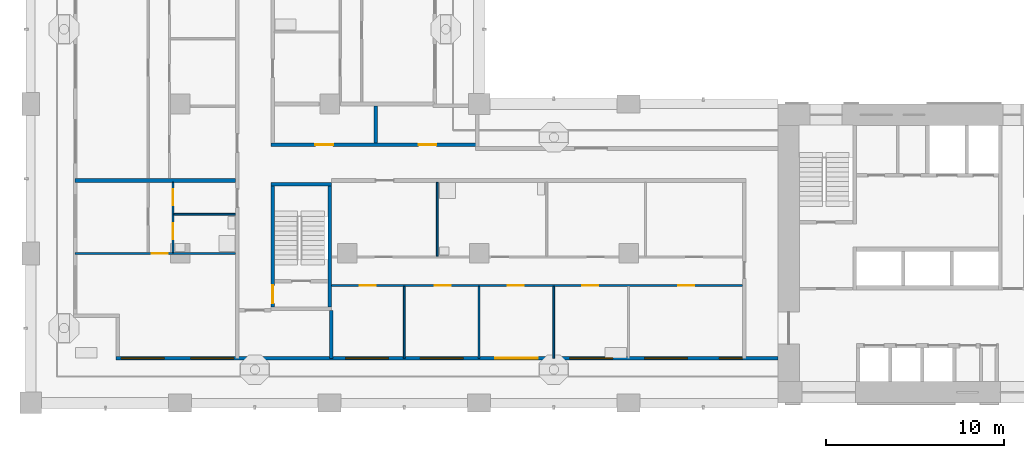
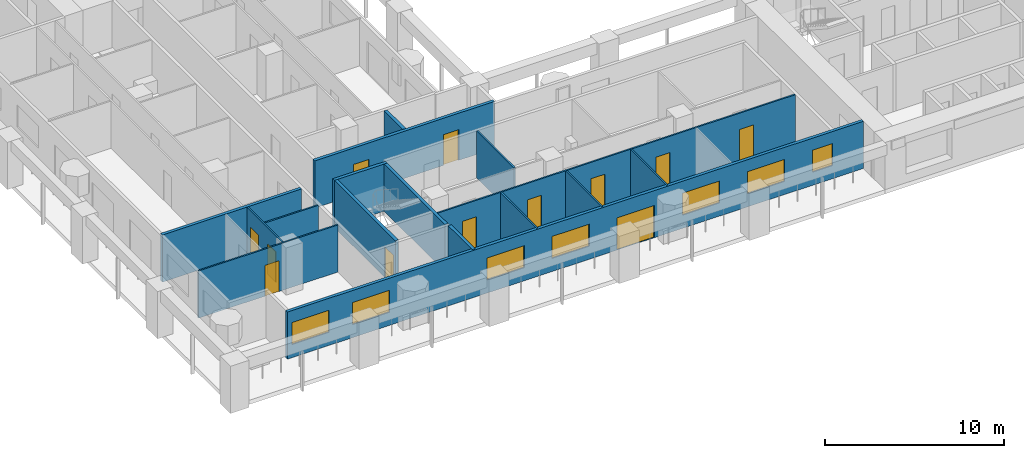
# One storey, part 2 of 18: 16 walls, 12 doors, 7 windows, 19 openings.
"""IFC4 building model written with IfcOpenShell, lengths in metres."""

from ifc_helpers import new_model, si_unit, direction, frame, frame_2d, origin, place, context, subcontext, project, spatial, rectangle, extrude, material, layer, layer_set, type_object, element, fill, save


model = new_model("IFC4")

# Units and contexts
model_context = context("Model", 3, precision=1e-05, world=origin(), true_north=direction((0.0, 1.0)))
body_context = subcontext(model_context, "Body", "Model", "MODEL_VIEW")
ifc_project = project(units=[si_unit("LENGTHUNIT", "METRE"), si_unit("AREAUNIT", "SQUARE_METRE"), si_unit("VOLUMEUNIT", "CUBIC_METRE"), si_unit("PLANEANGLEUNIT", "RADIAN"), si_unit("MASSUNIT", "GRAM", prefix="KILO")], contexts=[model_context])

# Site, building, storey
site_placement = place(None, origin())
site = spatial("IfcSite", under=ifc_project, at=site_placement, CompositionType="ELEMENT")
building_placement = place(site_placement, origin())
building = spatial("IfcBuilding", under=site, at=building_placement, Name="Vermilion Gate Residences", CompositionType="ELEMENT")
storey_placement = place(building_placement, frame((0.0, 0.0, 102.199951171875)))
storey = spatial("IfcBuildingStorey", under=building, at=storey_placement, Name="L25", CompositionType="ELEMENT", Elevation=102.199951171875)

# Wall, openings, door, windows
ifc_material_1 = material(Name="Insulated steel stud wall with terracotta rainscreen", Category="masonry")
ifc_layer_1 = layer(ifc_material_1, 0.199951171875)
ifc_layer_set_1 = layer_set([ifc_layer_1], Name="EXTERNAL WALL 200 TERRACOTTA RAINSCREEN")
wall_type_1 = type_object("IfcWallType", Name="EXTERNAL WALL 200 TERRACOTTA RAINSCREEN", PredefinedType="SOLIDWALL", material=ifc_layer_set_1)
wall_1_placement = place(storey_placement, frame((4.800048828125, 10.89990234375, 0.0), z_axis=(0.0, 0.0, 1.0), x_axis=(1.0, 0.0, 0.0)))
wall_1 = element("IfcWall", 1, at=wall_1_placement, inside=storey, type_object=wall_type_1, Name="External wall", PredefinedType="SOLIDWALL", context=body_context, shape_type="SweptSolid", body=[
    extrude(rectangle(XDim=37.199951171875, YDim=0.199951171875, at=frame_2d((18.60009765625, 0.0))), origin(), (0.0, 0.0, 1.0), 3.219970703125),
])
opening_1_placement = place(wall_1_placement, frame((0.300048828125, 0.0, 0.89990234375)))
opening_1 = element("IfcOpeningElement", 2, at=opening_1_placement, cuts=wall_1, Name="Opening WE25012", PredefinedType="OPENING", context=body_context, shape_type="SweptSolid", body=[
    extrude(rectangle(XDim=2.39990234375, YDim=1.5, at=frame_2d((1.199951171875, 0.75))), frame((0.0, 0.10986328125, 0.0), z_axis=(0.0, -1.0, 0.0), x_axis=(1.0, 0.0, 0.0)), (0.0, 0.0, 1.0), 0.219970703125),
])
opening_2_placement = place(wall_1_placement, frame((4.199951171875, 0.0, 0.89990234375)))
opening_2 = element("IfcOpeningElement", 3, at=opening_2_placement, cuts=wall_1, Name="Opening WE25013", PredefinedType="OPENING", context=body_context, shape_type="SweptSolid", body=[
    extrude(rectangle(XDim=2.39990234375, YDim=1.5, at=frame_2d((1.199951171875, 0.75))), frame((0.0, 0.10986328125, 0.0), z_axis=(0.0, -1.0, 0.0), x_axis=(1.0, 0.0, 0.0)), (0.0, 0.0, 1.0), 0.219970703125),
])
opening_3_placement = place(wall_1_placement, frame((12.89990234375, 0.0, 0.89990234375)))
opening_3 = element("IfcOpeningElement", 4, at=opening_3_placement, cuts=wall_1, Name="Opening WE25014", PredefinedType="OPENING", context=body_context, shape_type="SweptSolid", body=[
    extrude(rectangle(XDim=2.39990234375, YDim=1.5, at=frame_2d((1.199951171875, 0.75))), frame((0.0, 0.10986328125, 0.0), z_axis=(0.0, -1.0, 0.0), x_axis=(1.0, 0.0, 0.0)), (0.0, 0.0, 1.0), 0.219970703125),
])
opening_4_placement = place(wall_1_placement, frame((17.10009765625, 0.0, 0.89990234375)))
opening_4 = element("IfcOpeningElement", 5, at=opening_4_placement, cuts=wall_1, Name="Opening WE25015", PredefinedType="OPENING", context=body_context, shape_type="SweptSolid", body=[
    extrude(rectangle(XDim=2.39990234375, YDim=1.5, at=frame_2d((1.199951171875, 0.75))), frame((0.0, 0.10986328125, 0.0), z_axis=(0.0, -1.0, 0.0), x_axis=(1.0, 0.0, 0.0)), (0.0, 0.0, 1.0), 0.219970703125),
])
opening_5_placement = place(wall_1_placement, frame((21.300048828125, 0.0, 0.0)))
opening_5 = element("IfcOpeningElement", 6, at=opening_5_placement, cuts=wall_1, Name="Opening DE25016", PredefinedType="OPENING", context=body_context, shape_type="SweptSolid", body=[
    extrude(rectangle(XDim=2.39990234375, YDim=2.199951171875, at=frame_2d((1.199951171875, 1.10009765625))), frame((0.0, 0.10986328125, 0.0), z_axis=(0.0, -1.0, 0.0), x_axis=(1.0, 0.0, 0.0)), (0.0, 0.0, 1.0), 0.219970703125),
])
opening_6_placement = place(wall_1_placement, frame((25.5, 0.0, 0.89990234375)))
opening_6 = element("IfcOpeningElement", 7, at=opening_6_placement, cuts=wall_1, Name="Opening WE25017", PredefinedType="OPENING", context=body_context, shape_type="SweptSolid", body=[
    extrude(rectangle(XDim=2.39990234375, YDim=1.5, at=frame_2d((1.199951171875, 0.75))), frame((0.0, 0.10986328125, 0.0), z_axis=(0.0, -1.0, 0.0), x_axis=(1.0, 0.0, 0.0)), (0.0, 0.0, 1.0), 0.219970703125),
])
opening_7_placement = place(wall_1_placement, frame((29.699951171875, 0.0, 0.89990234375)))
opening_7 = element("IfcOpeningElement", 8, at=opening_7_placement, cuts=wall_1, Name="Opening WE25018", PredefinedType="OPENING", context=body_context, shape_type="SweptSolid", body=[
    extrude(rectangle(XDim=2.39990234375, YDim=1.5, at=frame_2d((1.199951171875, 0.75))), frame((0.0, 0.10986328125, 0.0), z_axis=(0.0, -1.0, 0.0), x_axis=(1.0, 0.0, 0.0)), (0.0, 0.0, 1.0), 0.219970703125),
])
opening_8_placement = place(wall_1_placement, frame((33.89990234375, 0.0, 0.89990234375)))
opening_8 = element("IfcOpeningElement", 9, at=opening_8_placement, cuts=wall_1, Name="Opening WE25019", PredefinedType="OPENING", context=body_context, shape_type="SweptSolid", body=[
    extrude(rectangle(XDim=1.300048828125, YDim=1.5, at=frame_2d((0.64990234375, 0.75))), frame((0.0, 0.10986328125, 0.0), z_axis=(0.0, -1.0, 0.0), x_axis=(1.0, 0.0, 0.0)), (0.0, 0.0, 1.0), 0.219970703125),
])
ifc_material_2 = material(Name="Aluminium and clear glass", Category="aluminium")
door_type_1 = type_object("IfcDoorType", Name="SLIDING GLAZED DOOR 2400 X 2200", OperationType="DOUBLE_DOOR_SLIDING", PredefinedType="DOOR", material=ifc_material_2)
door_1_placement = place(opening_5_placement, origin())
door_1 = element("IfcDoor", 10, at=door_1_placement, inside=storey, type_object=door_type_1, Name="Loggia sliding door", OperationType="DOUBLE_DOOR_SLIDING", OverallHeight=2.199951171875, OverallWidth=2.39990234375, PredefinedType="DOOR", context=body_context, shape_type="SweptSolid", body=[
    extrude(rectangle(XDim=2.39990234375, YDim=2.199951171875, at=frame_2d((1.199951171875, 1.10009765625))), frame((0.0, 0.02490234375, 0.0), z_axis=(0.0, -1.0, 0.0), x_axis=(1.0, 0.0, 0.0)), (0.0, 0.0, 1.0), 0.050048828125),
])
fill(opening_5, door_1)
ifc_material_3 = material(Name="Aluminium and clear glass", Category="aluminium")
window_type_1 = type_object("IfcWindowType", Name="WINDOW 1300 X 1500", PartitioningType="SINGLE_PANEL", PredefinedType="WINDOW", material=ifc_material_3)
window_1_placement = place(opening_8_placement, origin())
window_1 = element("IfcWindow", 11, at=window_1_placement, inside=storey, type_object=window_type_1, Name="Window", OverallHeight=1.5, OverallWidth=1.300048828125, PartitioningType="SINGLE_PANEL", PredefinedType="WINDOW", context=body_context, shape_type="SweptSolid", body=[
    extrude(rectangle(XDim=1.300048828125, YDim=1.5, at=frame_2d((0.64990234375, 0.75))), frame((0.0, 0.030029296875, 0.0), z_axis=(0.0, -1.0, 0.0), x_axis=(1.0, 0.0, 0.0)), (0.0, 0.0, 1.0), 0.06005859375),
])
fill(opening_8, window_1)
ifc_material_4 = material(Name="Aluminium and clear glass", Category="aluminium")
window_type_2 = type_object("IfcWindowType", Name="WINDOW 2400 X 1500", PartitioningType="SINGLE_PANEL", PredefinedType="WINDOW", material=ifc_material_4)
window_2_placement = place(opening_1_placement, origin())
window_2 = element("IfcWindow", 12, at=window_2_placement, inside=storey, type_object=window_type_2, Name="Window", OverallHeight=1.5, OverallWidth=2.39990234375, PartitioningType="SINGLE_PANEL", PredefinedType="WINDOW", context=body_context, shape_type="SweptSolid", body=[
    extrude(rectangle(XDim=2.39990234375, YDim=1.5, at=frame_2d((1.199951171875, 0.75))), frame((0.0, 0.030029296875, 0.0), z_axis=(0.0, -1.0, 0.0), x_axis=(1.0, 0.0, 0.0)), (0.0, 0.0, 1.0), 0.06005859375),
])
fill(opening_1, window_2)
window_3_placement = place(opening_2_placement, origin())
window_3 = element("IfcWindow", 13, at=window_3_placement, inside=storey, type_object=window_type_2, Name="Window", OverallHeight=1.5, OverallWidth=2.39990234375, PartitioningType="SINGLE_PANEL", PredefinedType="WINDOW", context=body_context, shape_type="SweptSolid", body=[
    extrude(rectangle(XDim=2.39990234375, YDim=1.5, at=frame_2d((1.199951171875, 0.75))), frame((0.0, 0.030029296875, 0.0), z_axis=(0.0, -1.0, 0.0), x_axis=(1.0, 0.0, 0.0)), (0.0, 0.0, 1.0), 0.06005859375),
])
fill(opening_2, window_3)
window_4_placement = place(opening_3_placement, origin())
window_4 = element("IfcWindow", 14, at=window_4_placement, inside=storey, type_object=window_type_2, Name="Window", OverallHeight=1.5, OverallWidth=2.39990234375, PartitioningType="SINGLE_PANEL", PredefinedType="WINDOW", context=body_context, shape_type="SweptSolid", body=[
    extrude(rectangle(XDim=2.39990234375, YDim=1.5, at=frame_2d((1.199951171875, 0.75))), frame((0.0, 0.030029296875, 0.0), z_axis=(0.0, -1.0, 0.0), x_axis=(1.0, 0.0, 0.0)), (0.0, 0.0, 1.0), 0.06005859375),
])
fill(opening_3, window_4)
window_5_placement = place(opening_4_placement, origin())
window_5 = element("IfcWindow", 15, at=window_5_placement, inside=storey, type_object=window_type_2, Name="Window", OverallHeight=1.5, OverallWidth=2.39990234375, PartitioningType="SINGLE_PANEL", PredefinedType="WINDOW", context=body_context, shape_type="SweptSolid", body=[
    extrude(rectangle(XDim=2.39990234375, YDim=1.5, at=frame_2d((1.199951171875, 0.75))), frame((0.0, 0.030029296875, 0.0), z_axis=(0.0, -1.0, 0.0), x_axis=(1.0, 0.0, 0.0)), (0.0, 0.0, 1.0), 0.06005859375),
])
fill(opening_4, window_5)
window_6_placement = place(opening_6_placement, origin())
window_6 = element("IfcWindow", 16, at=window_6_placement, inside=storey, type_object=window_type_2, Name="Window", OverallHeight=1.5, OverallWidth=2.39990234375, PartitioningType="SINGLE_PANEL", PredefinedType="WINDOW", context=body_context, shape_type="SweptSolid", body=[
    extrude(rectangle(XDim=2.39990234375, YDim=1.5, at=frame_2d((1.199951171875, 0.75))), frame((0.0, 0.030029296875, 0.0), z_axis=(0.0, -1.0, 0.0), x_axis=(1.0, 0.0, 0.0)), (0.0, 0.0, 1.0), 0.06005859375),
])
fill(opening_6, window_6)
window_7_placement = place(opening_7_placement, origin())
window_7 = element("IfcWindow", 17, at=window_7_placement, inside=storey, type_object=window_type_2, Name="Window", OverallHeight=1.5, OverallWidth=2.39990234375, PartitioningType="SINGLE_PANEL", PredefinedType="WINDOW", context=body_context, shape_type="SweptSolid", body=[
    extrude(rectangle(XDim=2.39990234375, YDim=1.5, at=frame_2d((1.199951171875, 0.75))), frame((0.0, 0.030029296875, 0.0), z_axis=(0.0, -1.0, 0.0), x_axis=(1.0, 0.0, 0.0)), (0.0, 0.0, 1.0), 0.06005859375),
])
fill(opening_7, window_7)

# Wall, openings, doors
ifc_material_5 = material(Name="Plasterboard on steel studs", Category="steel")
ifc_layer_2 = layer(ifc_material_5, 0.10009765625)
ifc_layer_set_2 = layer_set([ifc_layer_2], Name="PARTITION 100")
wall_type_2 = type_object("IfcWallType", Name="PARTITION 100", PredefinedType="PARTITIONING", material=ifc_layer_set_2)
wall_2_placement = place(storey_placement, frame((16.89990234375, 15.0, 0.0), z_axis=(0.0, 0.0, 1.0), x_axis=(1.0, 0.0, 0.0)))
wall_2 = element("IfcWall", 18, at=wall_2_placement, inside=storey, type_object=wall_type_2, Name="Partition", PredefinedType="PARTITIONING", context=body_context, shape_type="SweptSolid", body=[
    extrude(rectangle(XDim=23.10009765625, YDim=0.10009765625, at=frame_2d((11.550048828125, 0.0))), origin(), (0.0, 0.0, 1.0), 3.219970703125),
])
opening_9_placement = place(wall_2_placement, frame((1.60009765625, 0.0, 0.0)))
opening_9 = element("IfcOpeningElement", 19, at=opening_9_placement, cuts=wall_2, Name="Opening DA25002", PredefinedType="OPENING", context=body_context, shape_type="SweptSolid", body=[
    extrude(rectangle(XDim=0.89990234375, YDim=2.10009765625, at=frame_2d((0.449951171875, 1.050048828125))), frame((0.0, 0.06005859375, 0.0), z_axis=(0.0, -1.0, 0.0), x_axis=(1.0, 0.0, 0.0)), (0.0, 0.0, 1.0), 0.1201171875),
])
opening_10_placement = place(wall_2_placement, frame((5.800048828125, 0.0, 0.0)))
opening_10 = element("IfcOpeningElement", 20, at=opening_10_placement, cuts=wall_2, Name="Opening DA25003", PredefinedType="OPENING", context=body_context, shape_type="SweptSolid", body=[
    extrude(rectangle(XDim=0.89990234375, YDim=2.10009765625, at=frame_2d((0.449951171875, 1.050048828125))), frame((0.0, 0.06005859375, 0.0), z_axis=(0.0, -1.0, 0.0), x_axis=(1.0, 0.0, 0.0)), (0.0, 0.0, 1.0), 0.1201171875),
])
opening_11_placement = place(wall_2_placement, frame((9.89990234375, 0.0, 0.0)))
opening_11 = element("IfcOpeningElement", 21, at=opening_11_placement, cuts=wall_2, Name="Opening DA25004", PredefinedType="OPENING", context=body_context, shape_type="SweptSolid", body=[
    extrude(rectangle(XDim=0.89990234375, YDim=2.10009765625, at=frame_2d((0.449951171875, 1.050048828125))), frame((0.0, 0.06005859375, 0.0), z_axis=(0.0, -1.0, 0.0), x_axis=(1.0, 0.0, 0.0)), (0.0, 0.0, 1.0), 0.1201171875),
])
opening_12_placement = place(wall_2_placement, frame((14.10009765625, 0.0, 0.0)))
opening_12 = element("IfcOpeningElement", 22, at=opening_12_placement, cuts=wall_2, Name="Opening DA25005", PredefinedType="OPENING", context=body_context, shape_type="SweptSolid", body=[
    extrude(rectangle(XDim=0.89990234375, YDim=2.10009765625, at=frame_2d((0.449951171875, 1.050048828125))), frame((0.0, 0.06005859375, 0.0), z_axis=(0.0, -1.0, 0.0), x_axis=(1.0, 0.0, 0.0)), (0.0, 0.0, 1.0), 0.1201171875),
])
opening_13_placement = place(wall_2_placement, frame((19.5, 0.0, 0.0)))
opening_13 = element("IfcOpeningElement", 23, at=opening_13_placement, cuts=wall_2, Name="Opening DA25006", PredefinedType="OPENING", context=body_context, shape_type="SweptSolid", body=[
    extrude(rectangle(XDim=0.89990234375, YDim=2.10009765625, at=frame_2d((0.449951171875, 1.050048828125))), frame((0.0, 0.06005859375, 0.0), z_axis=(0.0, -1.0, 0.0), x_axis=(1.0, 0.0, 0.0)), (0.0, 0.0, 1.0), 0.1201171875),
])
ifc_material_6 = material(Name="Timber", Category="wood")
door_type_2 = type_object("IfcDoorType", Name="INTERIOR DOOR 900 X 2100", OperationType="SINGLE_SWING_LEFT", PredefinedType="DOOR", material=ifc_material_6)
door_2_placement = place(opening_9_placement, frame((0.89990234375, 0.0, 0.0), z_axis=(0.0, 0.0, 1.0), x_axis=(-1.0, 0.0, 0.0)))
door_2 = element("IfcDoor", 24, at=door_2_placement, inside=storey, type_object=door_type_2, Name="Interior door", OperationType="SINGLE_SWING_LEFT", OverallHeight=2.10009765625, OverallWidth=0.89990234375, PredefinedType="DOOR", context=body_context, shape_type="SweptSolid", body=[
    extrude(rectangle(XDim=0.89990234375, YDim=2.10009765625, at=frame_2d((0.449951171875, 1.050048828125))), frame((0.0, 0.02490234375, 0.0), z_axis=(0.0, -1.0, 0.0), x_axis=(1.0, 0.0, 0.0)), (0.0, 0.0, 1.0), 0.050048828125),
])
fill(opening_9, door_2)
door_3_placement = place(opening_10_placement, frame((0.89990234375, 0.0, 0.0), z_axis=(0.0, 0.0, 1.0), x_axis=(-1.0, 0.0, 0.0)))
door_3 = element("IfcDoor", 25, at=door_3_placement, inside=storey, type_object=door_type_2, Name="Interior door", OperationType="SINGLE_SWING_LEFT", OverallHeight=2.10009765625, OverallWidth=0.89990234375, PredefinedType="DOOR", context=body_context, shape_type="SweptSolid", body=[
    extrude(rectangle(XDim=0.89990234375, YDim=2.10009765625, at=frame_2d((0.449951171875, 1.050048828125))), frame((0.0, 0.02490234375, 0.0), z_axis=(0.0, -1.0, 0.0), x_axis=(1.0, 0.0, 0.0)), (0.0, 0.0, 1.0), 0.050048828125),
])
fill(opening_10, door_3)
door_4_placement = place(opening_11_placement, frame((0.89990234375, 0.0, 0.0), z_axis=(0.0, 0.0, 1.0), x_axis=(-1.0, 0.0, 0.0)))
door_4 = element("IfcDoor", 26, at=door_4_placement, inside=storey, type_object=door_type_2, Name="Interior door", OperationType="SINGLE_SWING_RIGHT", OverallHeight=2.10009765625, OverallWidth=0.89990234375, PredefinedType="DOOR", context=body_context, shape_type="SweptSolid", body=[
    extrude(rectangle(XDim=0.89990234375, YDim=2.10009765625, at=frame_2d((0.449951171875, 1.050048828125))), frame((0.0, 0.02490234375, 0.0), z_axis=(0.0, -1.0, 0.0), x_axis=(1.0, 0.0, 0.0)), (0.0, 0.0, 1.0), 0.050048828125),
])
fill(opening_11, door_4)
door_5_placement = place(opening_12_placement, frame((0.89990234375, 0.0, 0.0), z_axis=(0.0, 0.0, 1.0), x_axis=(-1.0, 0.0, 0.0)))
door_5 = element("IfcDoor", 27, at=door_5_placement, inside=storey, type_object=door_type_2, Name="Interior door", OperationType="SINGLE_SWING_RIGHT", OverallHeight=2.10009765625, OverallWidth=0.89990234375, PredefinedType="DOOR", context=body_context, shape_type="SweptSolid", body=[
    extrude(rectangle(XDim=0.89990234375, YDim=2.10009765625, at=frame_2d((0.449951171875, 1.050048828125))), frame((0.0, 0.02490234375, 0.0), z_axis=(0.0, -1.0, 0.0), x_axis=(1.0, 0.0, 0.0)), (0.0, 0.0, 1.0), 0.050048828125),
])
fill(opening_12, door_5)
door_6_placement = place(opening_13_placement, frame((0.89990234375, 0.0, 0.0), z_axis=(0.0, 0.0, 1.0), x_axis=(-1.0, 0.0, 0.0)))
door_6 = element("IfcDoor", 28, at=door_6_placement, inside=storey, type_object=door_type_2, Name="Interior door", OperationType="SINGLE_SWING_LEFT", OverallHeight=2.10009765625, OverallWidth=0.89990234375, PredefinedType="DOOR", context=body_context, shape_type="SweptSolid", body=[
    extrude(rectangle(XDim=0.89990234375, YDim=2.10009765625, at=frame_2d((0.449951171875, 1.050048828125))), frame((0.0, 0.02490234375, 0.0), z_axis=(0.0, -1.0, 0.0), x_axis=(1.0, 0.0, 0.0)), (0.0, 0.0, 1.0), 0.050048828125),
])
fill(opening_13, door_6)

# Wall, opening, door
wall_3_placement = place(storey_placement, frame((2.5, 16.800048828125, 0.0), z_axis=(0.0, 0.0, 1.0), x_axis=(1.0, 0.0, 0.0)))
wall_3 = element("IfcWall", 29, at=wall_3_placement, inside=storey, type_object=wall_type_2, Name="Partition", PredefinedType="PARTITIONING", context=body_context, shape_type="SweptSolid", body=[
    extrude(rectangle(XDim=9.0, YDim=0.10009765625, at=frame_2d((4.5, 0.0))), origin(), (0.0, 0.0, 1.0), 3.219970703125),
])
opening_14_placement = place(wall_3_placement, frame((4.300048828125, 0.0, 0.0)))
opening_14 = element("IfcOpeningElement", 30, at=opening_14_placement, cuts=wall_3, Name="Opening DA25011", PredefinedType="OPENING", context=body_context, shape_type="SweptSolid", body=[
    extrude(rectangle(XDim=0.89990234375, YDim=2.10009765625, at=frame_2d((0.449951171875, 1.050048828125))), frame((0.0, 0.06005859375, 0.0), z_axis=(0.0, -1.0, 0.0), x_axis=(1.0, 0.0, 0.0)), (0.0, 0.0, 1.0), 0.1201171875),
])
door_7_placement = place(opening_14_placement, frame((0.89990234375, 0.0, 0.0), z_axis=(0.0, 0.0, 1.0), x_axis=(-1.0, 0.0, 0.0)))
door_7 = element("IfcDoor", 31, at=door_7_placement, inside=storey, type_object=door_type_2, Name="Interior door", OperationType="SINGLE_SWING_LEFT", OverallHeight=2.10009765625, OverallWidth=0.89990234375, PredefinedType="DOOR", context=body_context, shape_type="SweptSolid", body=[
    extrude(rectangle(XDim=0.89990234375, YDim=2.10009765625, at=frame_2d((0.449951171875, 1.050048828125))), frame((0.0, 0.02490234375, 0.0), z_axis=(0.0, -1.0, 0.0), x_axis=(1.0, 0.0, 0.0)), (0.0, 0.0, 1.0), 0.050048828125),
])
fill(opening_14, door_7)

# Wall
wall_4_placement = place(storey_placement, frame((8.050048828125, 19.0, 0.0), z_axis=(0.0, 0.0, 1.0), x_axis=(1.0, 0.0, 0.0)))
element("IfcWall", 32, at=wall_4_placement, inside=storey, type_object=wall_type_2, Name="Partition", PredefinedType="PARTITIONING", context=body_context, shape_type="SweptSolid", body=[
    extrude(rectangle(XDim=3.449951171875, YDim=0.10009765625, at=frame_2d((1.72509765625, 0.0))), origin(), (0.0, 0.0, 1.0), 3.219970703125),
])

# Wall, openings, doors
wall_5_placement = place(storey_placement, frame((8.0, 16.85009765625, 0.0), z_axis=(0.0, 0.0, 1.0), x_axis=(0.0, 1.0, 0.0)))
wall_5 = element("IfcWall", 33, at=wall_5_placement, inside=storey, type_object=wall_type_2, Name="Partition", PredefinedType="PARTITIONING", context=body_context, shape_type="SweptSolid", body=[
    extrude(rectangle(XDim=3.949951171875, YDim=0.10009765625, at=frame_2d((1.97509765625, 0.0))), origin(), (0.0, 0.0, 1.0), 3.219970703125),
])
opening_15_placement = place(wall_5_placement, frame((2.64990234375, 0.0, 0.0)))
opening_15 = element("IfcOpeningElement", 34, at=opening_15_placement, cuts=wall_5, Name="Opening DA25029", PredefinedType="OPENING", context=body_context, shape_type="SweptSolid", body=[
    extrude(rectangle(XDim=0.89990234375, YDim=2.10009765625, at=frame_2d((0.449951171875, 1.050048828125))), frame((0.0, 0.06005859375, 0.0), z_axis=(0.0, -1.0, 0.0), x_axis=(1.0, 0.0, 0.0)), (0.0, 0.0, 1.0), 0.1201171875),
])
opening_16_placement = place(wall_5_placement, frame((0.75, 0.0, 0.0)))
opening_16 = element("IfcOpeningElement", 35, at=opening_16_placement, cuts=wall_5, Name="Opening DA25030", PredefinedType="OPENING", context=body_context, shape_type="SweptSolid", body=[
    extrude(rectangle(XDim=0.89990234375, YDim=2.10009765625, at=frame_2d((0.449951171875, 1.050048828125))), frame((0.0, 0.06005859375, 0.0), z_axis=(0.0, -1.0, 0.0), x_axis=(1.0, 0.0, 0.0)), (0.0, 0.0, 1.0), 0.1201171875),
])
door_8_placement = place(opening_15_placement, origin())
door_8 = element("IfcDoor", 36, at=door_8_placement, inside=storey, type_object=door_type_2, Name="Interior door", OperationType="SINGLE_SWING_RIGHT", OverallHeight=2.10009765625, OverallWidth=0.89990234375, PredefinedType="DOOR", context=body_context, shape_type="SweptSolid", body=[
    extrude(rectangle(XDim=0.89990234375, YDim=2.10009765625, at=frame_2d((0.449951171875, 1.050048828125))), frame((0.0, 0.02490234375, 0.0), z_axis=(0.0, -1.0, 0.0), x_axis=(1.0, 0.0, 0.0)), (0.0, 0.0, 1.0), 0.050048828125),
])
fill(opening_15, door_8)
door_9_placement = place(opening_16_placement, frame((0.89990234375, 0.0, 0.0), z_axis=(0.0, 0.0, 1.0), x_axis=(-1.0, 0.0, 0.0)))
door_9 = element("IfcDoor", 37, at=door_9_placement, inside=storey, type_object=door_type_2, Name="Interior door", OperationType="SINGLE_SWING_RIGHT", OverallHeight=2.10009765625, OverallWidth=0.89990234375, PredefinedType="DOOR", context=body_context, shape_type="SweptSolid", body=[
    extrude(rectangle(XDim=0.89990234375, YDim=2.10009765625, at=frame_2d((0.449951171875, 1.050048828125))), frame((0.0, 0.02490234375, 0.0), z_axis=(0.0, -1.0, 0.0), x_axis=(1.0, 0.0, 0.0)), (0.0, 0.0, 1.0), 0.050048828125),
])
fill(opening_16, door_9)

# Walls
wall_6_placement = place(storey_placement, frame((21.0, 10.89990234375, 0.0), z_axis=(0.0, 0.0, 1.0), x_axis=(0.0, 1.0, 0.0)))
element("IfcWall", 38, at=wall_6_placement, inside=storey, type_object=wall_type_2, Name="Partition", PredefinedType="PARTITIONING", context=body_context, shape_type="SweptSolid", body=[
    extrude(rectangle(XDim=4.050048828125, YDim=0.10009765625, at=frame_2d((2.02490234375, 0.0))), origin(), (0.0, 0.0, 1.0), 3.219970703125),
])
wall_7_placement = place(storey_placement, frame((22.85009765625, 16.64990234375, 0.0), z_axis=(0.0, 0.0, 1.0), x_axis=(0.0, 1.0, 0.0)))
element("IfcWall", 39, at=wall_7_placement, inside=storey, type_object=wall_type_2, Name="Partition", PredefinedType="PARTITIONING", context=body_context, shape_type="SweptSolid", body=[
    extrude(rectangle(XDim=4.150146484375, YDim=0.10009765625, at=frame_2d((2.0751953125, 0.0))), origin(), (0.0, 0.0, 1.0), 3.219970703125),
])
for number, where, z_axis, x_axis, name in (
    (40, (25.199951171875, 10.89990234375, 0.0), (0.0, 0.0, 1.0), (0.0, 1.0, 0.0), "Partition"),
    (41, (29.39990234375, 10.89990234375, 0.0), (0.0, 0.0, 1.0), (0.0, 1.0, 0.0), "Partition"),
):
    element("IfcWall", number, at=place(storey_placement, frame(where, z_axis=z_axis, x_axis=x_axis)), inside=storey, type_object=wall_type_2, Name=name, PredefinedType="PARTITIONING", context=body_context, shape_type="SweptSolid", body=[
        extrude(rectangle(XDim=4.050048828125, YDim=0.10009765625, at=frame_2d((2.02490234375, 0.0))), origin(), (0.0, 0.0, 1.0), 3.219970703125),
    ])
ifc_material_7 = material(Name="Fire-rated plasterboard on steel studs", Category="steel")
ifc_layer_3 = layer(ifc_material_7, 0.199951171875)
ifc_layer_set_3 = layer_set([ifc_layer_3], Name="PARTY WALL 200 EI 120")
wall_type_3 = type_object("IfcWallType", Name="PARTY WALL 200 EI 120", PredefinedType="PARTITIONING", material=ifc_layer_set_3)
wall_8_placement = place(storey_placement, frame((2.5, 20.89990234375, 0.0), z_axis=(0.0, 0.0, 1.0), x_axis=(1.0, 0.0, 0.0)))
element("IfcWall", 42, at=wall_8_placement, inside=storey, type_object=wall_type_3, Name="Party and corridor wall", PredefinedType="PARTITIONING", context=body_context, shape_type="SweptSolid", body=[
    extrude(rectangle(XDim=9.0, YDim=0.199951171875, at=frame_2d((4.5, 0.0))), origin(), (0.0, 0.0, 1.0), 3.219970703125),
])

# Wall, openings, doors
wall_9_placement = place(storey_placement, frame((13.5, 22.89990234375, 0.0), z_axis=(0.0, 0.0, 1.0), x_axis=(1.0, 0.0, 0.0)))
wall_9 = element("IfcWall", 43, at=wall_9_placement, inside=storey, type_object=wall_type_3, Name="Party and corridor wall", PredefinedType="PARTITIONING", context=body_context, shape_type="SweptSolid", body=[
    extrude(rectangle(XDim=11.60009765625, YDim=0.199951171875, at=frame_2d((5.800048828125, 0.0))), origin(), (0.0, 0.0, 1.0), 3.219970703125),
])
opening_17_placement = place(wall_9_placement, frame((2.5, 0.0, 0.0)))
opening_17 = element("IfcOpeningElement", 44, at=opening_17_placement, cuts=wall_9, Name="Opening DA25013", PredefinedType="OPENING", context=body_context, shape_type="SweptSolid", body=[
    extrude(rectangle(XDim=1.0, YDim=2.10009765625, at=frame_2d((0.5, 1.050048828125))), frame((0.0, 0.10986328125, 0.0), z_axis=(0.0, -1.0, 0.0), x_axis=(1.0, 0.0, 0.0)), (0.0, 0.0, 1.0), 0.219970703125),
])
opening_18_placement = place(wall_9_placement, frame((8.300048828125, 0.0, 0.0)))
opening_18 = element("IfcOpeningElement", 45, at=opening_18_placement, cuts=wall_9, Name="Opening DA25014", PredefinedType="OPENING", context=body_context, shape_type="SweptSolid", body=[
    extrude(rectangle(XDim=1.0, YDim=2.10009765625, at=frame_2d((0.5, 1.050048828125))), frame((0.0, 0.10986328125, 0.0), z_axis=(0.0, -1.0, 0.0), x_axis=(1.0, 0.0, 0.0)), (0.0, 0.0, 1.0), 0.219970703125),
])
ifc_material_8 = material(Name="Steel", Category="steel")
door_type_3 = type_object("IfcDoorType", Name="ENTRANCE DOOR 1000 X 2100 FD30", OperationType="SINGLE_SWING_LEFT", PredefinedType="DOOR", material=ifc_material_8)
door_10_placement = place(opening_17_placement, origin())
door_10 = element("IfcDoor", 46, at=door_10_placement, inside=storey, type_object=door_type_3, Name="Entrance door", OperationType="SINGLE_SWING_RIGHT", OverallHeight=2.10009765625, OverallWidth=1.0, PredefinedType="DOOR", context=body_context, shape_type="SweptSolid", body=[
    extrude(rectangle(XDim=1.0, YDim=2.10009765625, at=frame_2d((0.5, 1.050048828125))), frame((0.0, 0.02490234375, 0.0), z_axis=(0.0, -1.0, 0.0), x_axis=(1.0, 0.0, 0.0)), (0.0, 0.0, 1.0), 0.050048828125),
])
fill(opening_17, door_10)
door_11_placement = place(opening_18_placement, origin())
door_11 = element("IfcDoor", 47, at=door_11_placement, inside=storey, type_object=door_type_3, Name="Entrance door", OperationType="SINGLE_SWING_RIGHT", OverallHeight=2.10009765625, OverallWidth=1.0, PredefinedType="DOOR", context=body_context, shape_type="SweptSolid", body=[
    extrude(rectangle(XDim=1.0, YDim=2.10009765625, at=frame_2d((0.5, 1.050048828125))), frame((0.0, 0.02490234375, 0.0), z_axis=(0.0, -1.0, 0.0), x_axis=(1.0, 0.0, 0.0)), (0.0, 0.0, 1.0), 0.050048828125),
])
fill(opening_18, door_11)

# Walls
wall_10_placement = place(storey_placement, frame((16.89990234375, 10.89990234375, 0.0), z_axis=(0.0, 0.0, 1.0), x_axis=(0.0, 1.0, 0.0)))
element("IfcWall", 48, at=wall_10_placement, inside=storey, type_object=wall_type_3, Name="Party and corridor wall", PredefinedType="PARTITIONING", context=body_context, shape_type="SweptSolid", body=[
    extrude(rectangle(XDim=2.7001953125, YDim=0.199951171875, at=frame_2d((1.35009765625, 0.0))), origin(), (0.0, 0.0, 1.0), 3.219970703125),
])
wall_11_placement = place(storey_placement, frame((19.39990234375, 23.0, 0.0), z_axis=(0.0, 0.0, 1.0), x_axis=(0.0, 1.0, 0.0)))
element("IfcWall", 49, at=wall_11_placement, inside=storey, type_object=wall_type_3, Name="Party and corridor wall", PredefinedType="PARTITIONING", context=body_context, shape_type="SweptSolid", body=[
    extrude(rectangle(XDim=2.10009765625, YDim=0.199951171875, at=frame_2d((1.050048828125, 0.0))), origin(), (0.0, 0.0, 1.0), 3.219970703125),
])

# Wall, opening, door
ifc_material_9 = material(Name="Concrete C60", Category="concrete")
ifc_layer_4 = layer(ifc_material_9, 0.199951171875)
ifc_layer_set_4 = layer_set([ifc_layer_4], Name="RC CORE INTERNAL WALL 200 C60")
wall_type_4 = type_object("IfcWallType", Name="RC CORE INTERNAL WALL 200 C60", PredefinedType="SHEAR", material=ifc_layer_set_4)
wall_12_placement = place(storey_placement, frame((13.60009765625, 13.800048828125, 0.0), z_axis=(0.0, 0.0, 1.0), x_axis=(0.0, 1.0, 0.0)))
wall_12 = element("IfcWall", 50, at=wall_12_placement, inside=storey, type_object=wall_type_4, Name="Core internal wall C25-W", PredefinedType="SHEAR", context=body_context, shape_type="SweptSolid", body=[
    extrude(rectangle(XDim=6.800048828125, YDim=0.199951171875, at=frame_2d((3.39990234375, 0.0))), origin(), (0.0, 0.0, 1.0), 3.219970703125),
])
opening_19_placement = place(wall_12_placement, frame((0.199951171875, 0.0, 0.0)))
opening_19 = element("IfcOpeningElement", 51, at=opening_19_placement, cuts=wall_12, Name="Opening DK25201", PredefinedType="OPENING", context=body_context, shape_type="SweptSolid", body=[
    extrude(rectangle(XDim=1.0, YDim=2.10009765625, at=frame_2d((0.5, 1.050048828125))), frame((0.0, 0.10986328125, 0.0), z_axis=(0.0, -1.0, 0.0), x_axis=(1.0, 0.0, 0.0)), (0.0, 0.0, 1.0), 0.219970703125),
])
ifc_material_10 = material(Name="Steel", Category="steel")
door_type_4 = type_object("IfcDoorType", Name="FIRE DOOR FD60 1000 X 2100", OperationType="SINGLE_SWING_LEFT", PredefinedType="DOOR", material=ifc_material_10)
door_12_placement = place(opening_19_placement, frame((1.0, 0.0, 0.0), z_axis=(0.0, 0.0, 1.0), x_axis=(-1.0, 0.0, 0.0)))
door_12 = element("IfcDoor", 52, at=door_12_placement, inside=storey, type_object=door_type_4, Name="Stair vestibule door C25", OperationType="SINGLE_SWING_LEFT", OverallHeight=2.10009765625, OverallWidth=1.0, PredefinedType="DOOR", context=body_context, shape_type="SweptSolid", body=[
    extrude(rectangle(XDim=1.0, YDim=2.10009765625, at=frame_2d((0.5, 1.050048828125))), frame((0.0, 0.02490234375, 0.0), z_axis=(0.0, -1.0, 0.0), x_axis=(1.0, 0.0, 0.0)), (0.0, 0.0, 1.0), 0.050048828125),
])
fill(opening_19, door_12)

# Walls
wall_13_placement = place(storey_placement, frame((16.800048828125, 13.800048828125, 0.0), z_axis=(0.0, 0.0, 1.0), x_axis=(0.0, 1.0, 0.0)))
element("IfcWall", 53, at=wall_13_placement, inside=storey, type_object=wall_type_4, Name="Core internal wall C25-E", PredefinedType="SHEAR", context=body_context, shape_type="SweptSolid", body=[
    extrude(rectangle(XDim=6.800048828125, YDim=0.199951171875, at=frame_2d((3.39990234375, 0.0))), origin(), (0.0, 0.0, 1.0), 3.219970703125),
])
wall_14_placement = place(storey_placement, frame((13.5, 20.699951171875, 0.0), z_axis=(0.0, 0.0, 1.0), x_axis=(1.0, 0.0, 0.0)))
element("IfcWall", 54, at=wall_14_placement, inside=storey, type_object=wall_type_4, Name="Core internal wall C25-N", PredefinedType="SHEAR", context=body_context, shape_type="SweptSolid", body=[
    extrude(rectangle(XDim=3.39990234375, YDim=0.199951171875, at=frame_2d((1.699951171875, 0.0))), origin(), (0.0, 0.0, 1.0), 3.219970703125),
])

save(model, "model.ifc")
